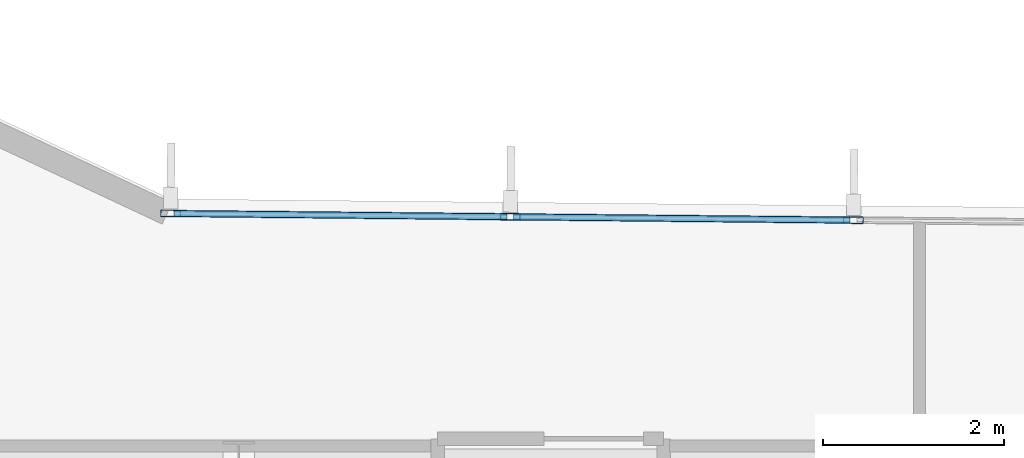
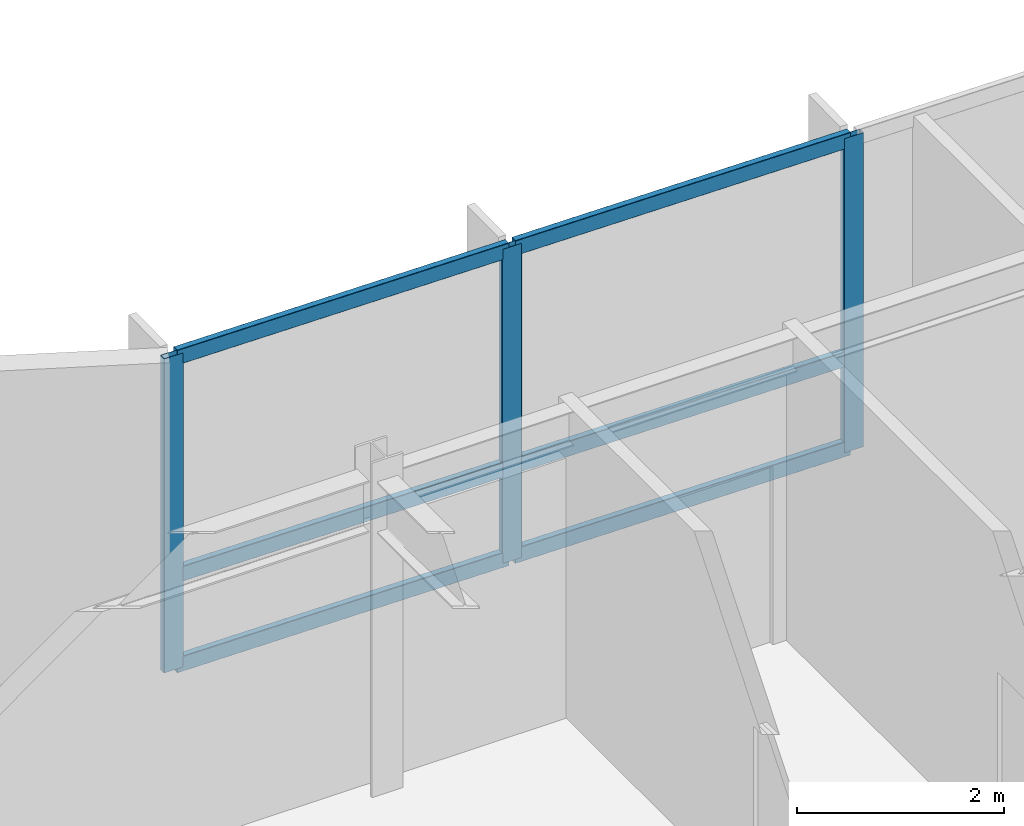
# One storey, part 4 of 19: 9 members, 1 element without a shape of its own.
"""IFC4 building model written with IfcOpenShell, lengths in metres."""

import ifcopenshell
import ifcopenshell.guid

model = None  # the IFC model being written
_history = None  # IfcOwnerHistory: only IFC2X3 demands one
_inside = {}  # id of a spatial element -> (the spatial element, [elements in it])
_under = {}  # id of a project, library or spatial element -> (it, [spatial elements below it])
_declared = {}  # id of a project -> (the project, [libraries it declares])
_typed = {}  # id of a type object -> (the type object, [elements of that type])
_made_of = {}  # id of a material, layer set ... -> (it, [elements and type objects made of it])


def new_model(schema):
    """Start an empty IFC model of exactly this schema.

    Asked for "IFC4X3", IfcOpenShell would pick the latest addendum, in which some entities
    have other attributes; the version numbers below select the first issue.
    IFC2X3 requires an IfcOwnerHistory on every rooted entity: one is made here for all.
    """
    global model, _history
    if schema == "IFC4X3":
        model = ifcopenshell.file(schema_version=(4, 3, 0, 0))
    else:
        model = ifcopenshell.file(schema=schema)
    _inside.clear()
    _under.clear()
    _declared.clear()
    _typed.clear()
    _made_of.clear()
    _history = None
    if model.schema == "IFC2X3":
        org = make("IfcOrganization", Name="unknown")
        user = make(
            "IfcPersonAndOrganization",
            ThePerson=make("IfcPerson", FamilyName="unknown"),
            TheOrganization=org,
        )
        app = make(
            "IfcApplication",
            ApplicationDeveloper=org,
            Version="unknown",
            ApplicationFullName="unknown",
            ApplicationIdentifier="unknown",
        )
        _history = make(
            "IfcOwnerHistory",
            OwningUser=user,
            OwningApplication=app,
            ChangeAction="ADDED",
            CreationDate=0,
        )
    return model


def make(cls, **values):
    """One entity of the class cls with the attributes given. An attribute that is None is left unset."""
    return model.create_entity(
        cls, **{name: value for name, value in values.items() if value is not None}
    )


def rooted(cls, **values):
    """An entity with a GlobalId (a new one), such as an element, a storey or a relation."""
    return make(cls, GlobalId=ifcopenshell.guid.new(), OwnerHistory=_history, **values)


def si_unit(unit_type, name, prefix=None):
    """IfcSIUnit, for example si_unit("LENGTHUNIT", "METRE", prefix="MILLI")."""
    return make("IfcSIUnit", UnitType=unit_type, Prefix=prefix, Name=name)


def assignment(units):
    """IfcUnitAssignment: the units of a project."""
    return None if units is None else make("IfcUnitAssignment", Units=units)


def point(xyz):
    """IfcCartesianPoint."""
    return None if xyz is None else make("IfcCartesianPoint", Coordinates=xyz)


def direction(xyz):
    """IfcDirection."""
    return None if xyz is None else make("IfcDirection", DirectionRatios=xyz)


def frame(location, z_axis=None, x_axis=None):
    """IfcAxis2Placement3D, a coordinate frame: its origin and axes. An axis left out is left unset."""
    return make(
        "IfcAxis2Placement3D",
        Location=point(location),
        Axis=direction(z_axis),
        RefDirection=direction(x_axis),
    )


def frame_2d(location, x_axis=None):
    """IfcAxis2Placement2D, a coordinate frame in the plane: its origin and x axis."""
    return make(
        "IfcAxis2Placement2D", Location=point(location), RefDirection=direction(x_axis)
    )


def origin():
    """The frame at (0, 0, 0) with its axes left unset."""
    return frame((0.0, 0.0, 0.0))


def origin_2d():
    """The frame at (0, 0) in the plane with its x axis left unset."""
    return frame_2d((0.0, 0.0))


def place(relative_to, where):
    """IfcLocalPlacement: puts the frame where relative to a parent placement (None: the world)."""
    return make(
        "IfcLocalPlacement", PlacementRelTo=relative_to, RelativePlacement=where
    )


def context(
    kind, dimensions, precision=None, world=None, true_north=None, identifier=None
):
    """IfcGeometricRepresentationContext, for example the 3D "Model" context."""
    return make(
        "IfcGeometricRepresentationContext",
        ContextIdentifier=identifier,
        ContextType=kind,
        CoordinateSpaceDimension=dimensions,
        Precision=precision,
        WorldCoordinateSystem=world,
        TrueNorth=true_north,
    )


def subcontext(parent, identifier, kind, view, scale=None):
    """IfcGeometricRepresentationSubContext, for example "Body" below "Model"."""
    return make(
        "IfcGeometricRepresentationSubContext",
        ContextIdentifier=identifier,
        ContextType=kind,
        ParentContext=parent,
        TargetScale=scale,
        TargetView=view,
    )


def project(units=None, contexts=None):
    """IfcProject with its units and contexts."""
    return rooted(
        "IfcProject",
        Name="project",
        RepresentationContexts=contexts,
        UnitsInContext=assignment(units),
    )


def spatial(cls, under=None, at=None, **own):
    """A site, building, storey or space (cls), placed at a placement, below another one or the project."""
    s = rooted(cls, ObjectPlacement=at, **own)
    if under is not None:
        _under.setdefault(under.id(), (under, []))[1].append(s)
    return s


def profile(cls, at=None, kind="AREA", **sizes):
    """A parametric profile (cls). Its sizes go by their IFC names, for example OverallWidth=200.0."""
    return make(cls, ProfileType=kind, Position=at, **sizes)


def hollow_rectangle(**sizes):
    """IfcRectangleHollowProfileDef."""
    return profile("IfcRectangleHollowProfileDef", **sizes)


def extrude(swept, where, along, depth):
    """IfcExtrudedAreaSolid: the profile swept, set in the frame where, extruded along a direction by depth."""
    return make(
        "IfcExtrudedAreaSolid",
        SweptArea=swept,
        Position=where,
        ExtrudedDirection=direction(along),
        Depth=depth,
    )


def shape(context_of_items, identifier, shape_type, items):
    """IfcShapeRepresentation: the items that make up one representation, for example the "Body"."""
    return make(
        "IfcShapeRepresentation",
        ContextOfItems=context_of_items,
        RepresentationIdentifier=identifier,
        RepresentationType=shape_type,
        Items=items,
    )


def material(Name=None, Category=None):
    """IfcMaterial."""
    return make("IfcMaterial", Name=Name, Category=Category)


def layer(
    of_material, thickness, ventilated=None, Name=None, Category=None, Priority=None
):
    """IfcMaterialLayer: one layer of a wall or slab, of a material (None: an air gap)."""
    return make(
        "IfcMaterialLayer",
        Material=of_material,
        LayerThickness=thickness,
        IsVentilated=ventilated,
        Name=Name,
        Category=Category,
        Priority=Priority,
    )


def layer_set(layers, Name=None):
    """IfcMaterialLayerSet."""
    return make("IfcMaterialLayerSet", MaterialLayers=layers, LayerSetName=Name)


def material_profile(
    of_material, cross_section, Name=None, Category=None, Priority=None
):
    """IfcMaterialProfile: a cross section and its material."""
    return make(
        "IfcMaterialProfile",
        Name=Name,
        Material=of_material,
        Profile=cross_section,
        Priority=Priority,
        Category=Category,
    )


def profile_set(profiles, Name=None, composite=None):
    """IfcMaterialProfileSet."""
    return make(
        "IfcMaterialProfileSet",
        Name=Name,
        MaterialProfiles=profiles,
        CompositeProfile=composite,
    )


def made_of(thing, what):
    """Note that an element or type object is made of a material, layer set ...; save() writes the relation."""
    if what is not None:
        _made_of.setdefault(what.id(), (what, []))[1].append(thing)
    return thing


def type_object(cls, material=None, **own):
    """A type object (cls), such as IfcWallType, which elements share."""
    return made_of(rooted(cls, **own), material)


def element(
    cls,
    number,
    at=None,
    inside=None,
    cuts=None,
    type_object=None,
    material=None,
    context=None,
    identifier="Body",
    shape_type=None,
    held_by="IfcProductDefinitionShape",
    body=None,
    shapes=None,
    **own,
):
    """One element of the class cls, such as IfcWall. Its Tag is "e" and its number.

    at: its placement. inside: the storey or other place that contains it. cuts: it is an
    opening in that element (IfcRelVoidsElement). A single representation is given by context,
    identifier, shape_type and body (its items); several are given by shapes. held_by: the class
    of the entity that holds the representations. save() writes the other relations.
    """
    e = rooted(cls, Tag="e%d" % number, ObjectPlacement=at, **own)
    if body is not None:
        shapes = [shape(context, identifier, shape_type, body)]
    if shapes is not None:
        e.Representation = make(held_by, Representations=shapes)
    if inside is not None:
        _inside.setdefault(inside.id(), (inside, []))[1].append(e)
    if cuts is not None:
        rooted(
            "IfcRelVoidsElement", RelatingBuildingElement=cuts, RelatedOpeningElement=e
        )
    if type_object is not None:
        _typed.setdefault(type_object.id(), (type_object, []))[1].append(e)
    return made_of(e, material)


def aggregate(whole, parts):
    """IfcRelAggregates: a whole, such as a stair, and the parts it consists of."""
    return rooted("IfcRelAggregates", RelatingObject=whole, RelatedObjects=parts)


def save(model, path):
    """Write the relations noted so far, then the file.

    IfcRelAggregates (storeys below a building ...), IfcRelContainedInSpatialStructure (elements
    in a storey), IfcRelDefinesByType, IfcRelAssociatesMaterial and IfcRelDeclares: one each for
    every whole, place, type object, material and project.
    """
    for whole, parts in _under.values():
        aggregate(whole, parts)
    for where, things in _inside.values():
        rooted(
            "IfcRelContainedInSpatialStructure",
            RelatedElements=things,
            RelatingStructure=where,
        )
    for kind, things in _typed.values():
        rooted("IfcRelDefinesByType", RelatedObjects=things, RelatingType=kind)
    for what, things in _made_of.values():
        rooted("IfcRelAssociatesMaterial", RelatedObjects=things, RelatingMaterial=what)
    for by, libraries in _declared.values():
        rooted("IfcRelDeclares", RelatingContext=by, RelatedDefinitions=libraries)
    model.write(path)


model = new_model("IFC4")

# Units and contexts
model_context = context("Model", 3, precision=1e-05, world=origin(), true_north=direction((0.0, 1.0)))
body_context = subcontext(model_context, "Body", "Model", "MODEL_VIEW")
ifc_project = project(units=[si_unit("LENGTHUNIT", "METRE"), si_unit("AREAUNIT", "SQUARE_METRE"), si_unit("VOLUMEUNIT", "CUBIC_METRE"), si_unit("PLANEANGLEUNIT", "RADIAN"), si_unit("MASSUNIT", "GRAM", prefix="KILO")], contexts=[model_context])

# Site, building, storey
site_placement = place(None, origin())
site = spatial("IfcSite", under=ifc_project, at=site_placement, CompositionType="ELEMENT")
building_placement = place(site_placement, origin())
building = spatial("IfcBuilding", under=site, at=building_placement, Name="Varnakote Quay Hospital", CompositionType="ELEMENT")
storey_placement = place(building_placement, frame((0.0, 0.0, 50.14990234375)))
storey = spatial("IfcBuildingStorey", under=building, at=storey_placement, Name="L12", CompositionType="ELEMENT", Elevation=50.14990234375)

# Curtain wall, members
ifc_material_1 = material(Name="Anodised aluminium 6063-T6 Bronze", Category="aluminium")
ifc_layer = layer(ifc_material_1, 0.18994140625)
ifc_layer_set = layer_set([ifc_layer], Name="Anodised aluminium 6063-T6 Bronze")
curtain_wall_type = type_object("IfcCurtainWallType", Name="CW-SYS-2", PredefinedType="NOTDEFINED", material=ifc_layer_set)
curtain_wall_placement = place(storey_placement, origin())
curtain_wall = element("IfcCurtainWall", 1, at=curtain_wall_placement, inside=storey, type_object=curtain_wall_type, Name="L12 Unitised Bronze Curtain Wall 2", PredefinedType="NOTDEFINED")
ifc_material_2 = material(Name="Anodised aluminium 6063-T6 Bronze", Category="aluminium")
ifc_material_profile_1 = material_profile(ifc_material_2, hollow_rectangle(XDim=0.074951171875, YDim=0.219970703125, WallThickness=0.00439453125, InnerFilletRadius=0.00439453125, OuterFilletRadius=0.009033203125, at=origin_2d()), Name="CW-MULL-220x75")
ifc_profile_set_1 = profile_set([ifc_material_profile_1], Name="Anodised aluminium 6063-T6 Bronze")
member_type_1 = type_object("IfcMemberType", Name="CW-MULL-220x75", PredefinedType="MULLION", material=ifc_profile_set_1)
member_1_placement = place(storey_placement, frame((31.99853515625, 31.418212890625, 0.0), z_axis=(0.0, 0.0, 1.0), x_axis=(-0.009774266312, -0.999952230718, 0.0)))
member_1 = element("IfcMember", 2, at=member_1_placement, type_object=member_type_1, Name="-2-L12-2 mullion 3", PredefinedType="MULLION", context=body_context, shape_type="SweptSolid", body=[
    extrude(hollow_rectangle(XDim=0.074951171875, YDim=0.219970703125, WallThickness=0.00439453125, InnerFilletRadius=0.00439453125, OuterFilletRadius=0.009033203125, at=origin_2d()), origin(), (0.0, 0.0, 1.0), 3.710205078125),
])
member_2_placement = place(storey_placement, frame((28.203125, 31.455078125, 0.0), z_axis=(0.0, 0.0, 1.0), x_axis=(-0.009774266312, -0.999952230718, 0.0)))
member_2 = element("IfcMember", 3, at=member_2_placement, type_object=member_type_1, Name="-2-L12-2 mullion 4", PredefinedType="MULLION", context=body_context, shape_type="SweptSolid", body=[
    extrude(hollow_rectangle(XDim=0.074951171875, YDim=0.219970703125, WallThickness=0.00439453125, InnerFilletRadius=0.00439453125, OuterFilletRadius=0.009033203125, at=origin_2d()), origin(), (0.0, 0.0, 1.0), 3.710205078125),
])
member_3_placement = place(storey_placement, frame((24.445068359375, 31.491943359375, 0.0), z_axis=(0.0, 0.0, 1.0), x_axis=(-0.009774266312, -0.999952230718, 0.0)))
member_3 = element("IfcMember", 4, at=member_3_placement, type_object=member_type_1, Name="-2-L12-2 mullion 5", PredefinedType="MULLION", context=body_context, shape_type="SweptSolid", body=[
    extrude(hollow_rectangle(XDim=0.074951171875, YDim=0.219970703125, WallThickness=0.00439453125, InnerFilletRadius=0.00439453125, OuterFilletRadius=0.009033203125, at=origin_2d()), origin(), (0.0, 0.0, 1.0), 3.710205078125),
])
ifc_material_3 = material(Name="Anodised aluminium 6063-T6 Bronze", Category="aluminium")
ifc_material_profile_2 = material_profile(ifc_material_3, hollow_rectangle(XDim=0.074951171875, YDim=0.179931640625, WallThickness=0.004150390625, InnerFilletRadius=0.004150390625, OuterFilletRadius=0.00830078125, at=origin_2d()), Name="CW-TRAN-180x75")
ifc_profile_set_2 = profile_set([ifc_material_profile_2], Name="Anodised aluminium 6063-T6 Bronze")
member_type_2 = type_object("IfcMemberType", Name="CW-TRAN-180x75", PredefinedType="USERDEFINED", material=ifc_profile_set_2)
member_4_placement = place(storey_placement, frame((31.961181640625, 31.41845703125, 0.03759765625), z_axis=(-0.999952209511, 0.009776435644, 0.0), x_axis=(-0.009776435644, -0.999952209511, 0.0)))
member_4 = element("IfcMember", 5, at=member_4_placement, type_object=member_type_2, Name="-2-L12-2 transom 3.1", ObjectType="TRANSOM", PredefinedType="USERDEFINED", context=body_context, shape_type="SweptSolid", body=[
    extrude(hollow_rectangle(XDim=0.074951171875, YDim=0.179931640625, WallThickness=0.004150390625, InnerFilletRadius=0.004150390625, OuterFilletRadius=0.00830078125, at=origin_2d()), origin(), (0.0, 0.0, 1.0), 3.720947265625),
])
member_5_placement = place(storey_placement, frame((31.961181640625, 31.41845703125, 1.10009765625), z_axis=(-0.999952209511, 0.009776435644, 0.0), x_axis=(-0.009776435644, -0.999952209511, 0.0)))
member_5 = element("IfcMember", 6, at=member_5_placement, type_object=member_type_2, Name="-2-L12-2 transom 3.2", ObjectType="TRANSOM", PredefinedType="USERDEFINED", context=body_context, shape_type="SweptSolid", body=[
    extrude(hollow_rectangle(XDim=0.074951171875, YDim=0.179931640625, WallThickness=0.004150390625, InnerFilletRadius=0.004150390625, OuterFilletRadius=0.00830078125, at=origin_2d()), origin(), (0.0, 0.0, 1.0), 3.720947265625),
])
member_6_placement = place(storey_placement, frame((31.961181640625, 31.41845703125, 3.672607421875), z_axis=(-0.999952209511, 0.009776435644, 0.0), x_axis=(-0.009776435644, -0.999952209511, 0.0)))
member_6 = element("IfcMember", 7, at=member_6_placement, type_object=member_type_2, Name="-2-L12-2 transom 3.3", ObjectType="TRANSOM", PredefinedType="USERDEFINED", context=body_context, shape_type="SweptSolid", body=[
    extrude(hollow_rectangle(XDim=0.074951171875, YDim=0.179931640625, WallThickness=0.004150390625, InnerFilletRadius=0.004150390625, OuterFilletRadius=0.00830078125, at=origin_2d()), origin(), (0.0, 0.0, 1.0), 3.720947265625),
])
member_7_placement = place(storey_placement, frame((28.16552734375, 31.45556640625, 0.03759765625), z_axis=(-0.999952523017, 0.00974431693, 0.0), x_axis=(-0.00974431693, -0.999952523017, 0.0)))
member_7 = element("IfcMember", 8, at=member_7_placement, type_object=member_type_2, Name="-2-L12-2 transom 4.1", ObjectType="TRANSOM", PredefinedType="USERDEFINED", context=body_context, shape_type="SweptSolid", body=[
    extrude(hollow_rectangle(XDim=0.074951171875, YDim=0.179931640625, WallThickness=0.004150390625, InnerFilletRadius=0.004150390625, OuterFilletRadius=0.00830078125, at=origin_2d()), origin(), (0.0, 0.0, 1.0), 3.68310546875),
])
member_8_placement = place(storey_placement, frame((28.16552734375, 31.45556640625, 1.10009765625), z_axis=(-0.999952523017, 0.00974431693, 0.0), x_axis=(-0.00974431693, -0.999952523017, 0.0)))
member_8 = element("IfcMember", 9, at=member_8_placement, type_object=member_type_2, Name="-2-L12-2 transom 4.2", ObjectType="TRANSOM", PredefinedType="USERDEFINED", context=body_context, shape_type="SweptSolid", body=[
    extrude(hollow_rectangle(XDim=0.074951171875, YDim=0.179931640625, WallThickness=0.004150390625, InnerFilletRadius=0.004150390625, OuterFilletRadius=0.00830078125, at=origin_2d()), origin(), (0.0, 0.0, 1.0), 3.68310546875),
])
member_9_placement = place(storey_placement, frame((28.16552734375, 31.45556640625, 3.672607421875), z_axis=(-0.999952523017, 0.00974431693, 0.0), x_axis=(-0.00974431693, -0.999952523017, 0.0)))
member_9 = element("IfcMember", 10, at=member_9_placement, type_object=member_type_2, Name="-2-L12-2 transom 4.3", ObjectType="TRANSOM", PredefinedType="USERDEFINED", context=body_context, shape_type="SweptSolid", body=[
    extrude(hollow_rectangle(XDim=0.074951171875, YDim=0.179931640625, WallThickness=0.004150390625, InnerFilletRadius=0.004150390625, OuterFilletRadius=0.00830078125, at=origin_2d()), origin(), (0.0, 0.0, 1.0), 3.68310546875),
])
aggregate(curtain_wall, [member_1, member_2, member_3, member_4, member_5, member_6, member_7, member_8, member_9])

save(model, "model.ifc")
